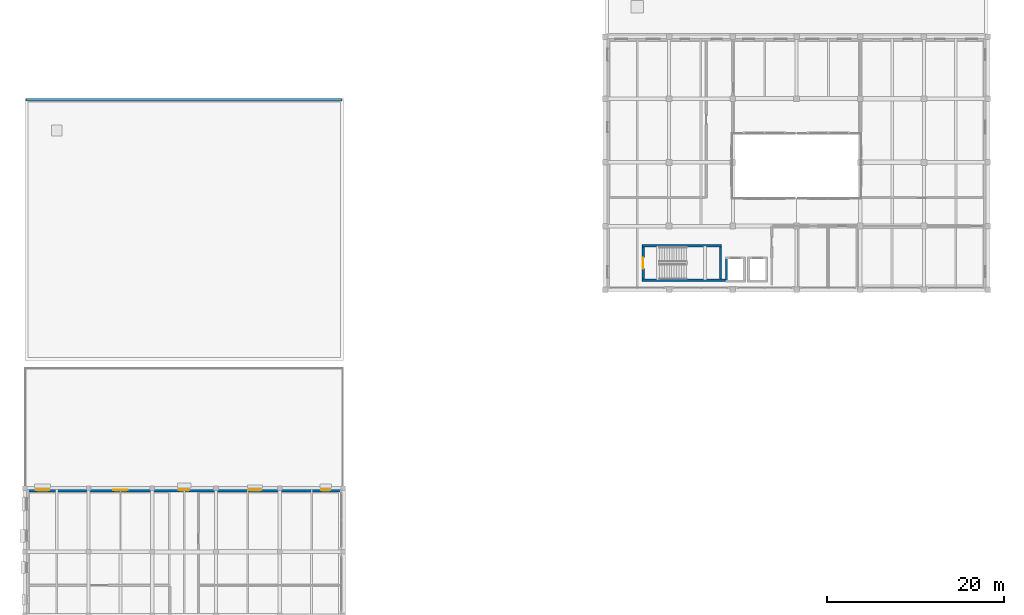
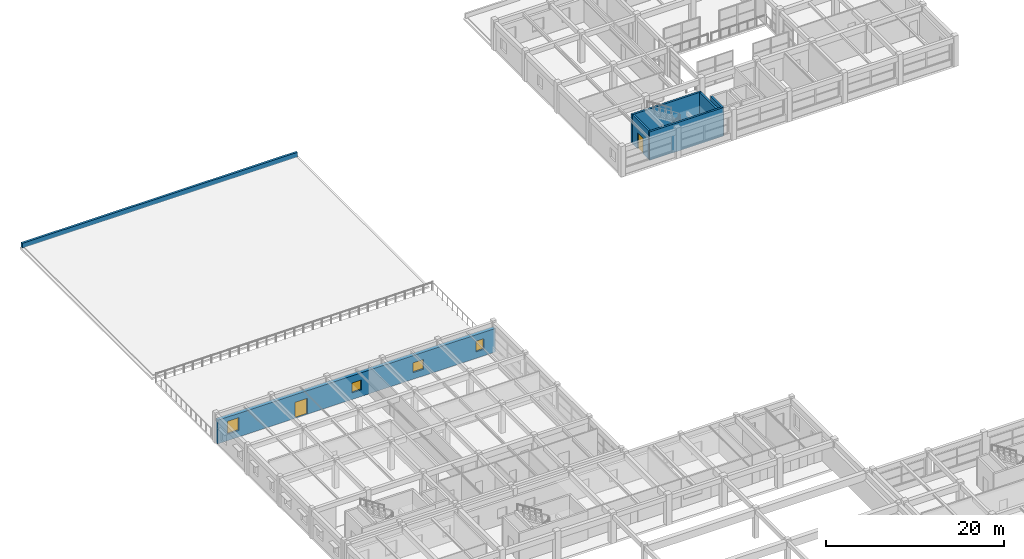
# One storey, part 49 of 67: 7 walls, 4 windows, 2 doors, 6 openings.
"""IFC4 building model written with IfcOpenShell, lengths in metres."""

from ifc_helpers import new_model, si_unit, direction, frame, frame_2d, origin, place, context, subcontext, project, spatial, rectangle, extrude, material, layer, layer_set, type_object, element, fill, save


model = new_model("IFC4")

# Units and contexts
model_context = context("Model", 3, precision=1e-05, world=origin(), true_north=direction((0.0, 1.0)))
body_context = subcontext(model_context, "Body", "Model", "MODEL_VIEW")
ifc_project = project(units=[si_unit("LENGTHUNIT", "METRE"), si_unit("AREAUNIT", "SQUARE_METRE"), si_unit("VOLUMEUNIT", "CUBIC_METRE"), si_unit("PLANEANGLEUNIT", "RADIAN"), si_unit("MASSUNIT", "GRAM", prefix="KILO")], contexts=[model_context])

# Site, building, storey
site_placement = place(None, origin())
site = spatial("IfcSite", under=ifc_project, at=site_placement, CompositionType="ELEMENT")
building_placement = place(site_placement, origin())
building = spatial("IfcBuilding", under=site, at=building_placement, Name="Bramveld Media Centre", CompositionType="ELEMENT")
storey_placement = place(building_placement, frame((0.0, 0.0, 5.39990234375)))
storey = spatial("IfcBuildingStorey", under=building, at=storey_placement, Name="L01", CompositionType="ELEMENT", Elevation=5.39990234375)

# Walls
ifc_material_1 = material(Name="Concrete C40/50 stair & lift core wall", Category="concrete")
ifc_layer_1 = layer(ifc_material_1, 0.25)
ifc_layer_set_1 = layer_set([ifc_layer_1], Name="Concrete C40/50 stair & lift core wall")
wall_type_1 = type_object("IfcWallType", Name="CWALL-SHEAR-250", PredefinedType="SHEAR", material=ifc_layer_set_1)
wall_1_placement = place(storey_placement, frame((69.75, 91.47509765625, 0.0), z_axis=(0.0, 0.0, 1.0), x_axis=(1.0, 0.0, 0.0)))
element("IfcWall", 1, at=wall_1_placement, inside=storey, type_object=wall_type_1, Name="ST-07 L01 stair core shear wall S", PredefinedType="SHEAR", context=body_context, shape_type="SweptSolid", body=[
    extrude(rectangle(XDim=9.570068359375, YDim=0.25, at=frame_2d((4.78515625, 0.0))), origin(), (0.0, 0.0, 1.0), 3.920166015625),
])
wall_2_placement = place(storey_placement, frame((78.75, 95.375, 0.0), z_axis=(0.0, 0.0, 1.0), x_axis=(-1.0, 0.0, 0.0)))
element("IfcWall", 2, at=wall_2_placement, inside=storey, type_object=wall_type_1, Name="ST-07 L01 stair core shear wall N", PredefinedType="SHEAR", context=body_context, shape_type="SweptSolid", body=[
    extrude(rectangle(XDim=9.0, YDim=0.25, at=frame_2d((4.5, 0.0))), origin(), (0.0, 0.0, 1.0), 3.920166015625),
])

# Wall, opening, door
wall_3_placement = place(storey_placement, frame((69.875, 95.25, 0.0), z_axis=(0.0, 0.0, 1.0), x_axis=(0.0, -1.0, 0.0)))
wall_3 = element("IfcWall", 3, at=wall_3_placement, inside=storey, type_object=wall_type_1, Name="ST-07 L01 stair core shear wall W", PredefinedType="SHEAR", context=body_context, shape_type="SweptSolid", body=[
    extrude(rectangle(XDim=3.64990234375, YDim=0.25, at=frame_2d((1.824951171875, 0.0))), origin(), (0.0, 0.0, 1.0), 3.920166015625),
])
opening_1_placement = place(wall_3_placement, frame((1.199951171875, 0.0, 0.0)))
opening_1 = element("IfcOpeningElement", 4, at=opening_1_placement, cuts=wall_3, Name="Opening SD-07-L01", PredefinedType="OPENING", context=body_context, shape_type="SweptSolid", body=[
    extrude(rectangle(XDim=1.25, YDim=2.14990234375, at=frame_2d((0.625, 1.074951171875))), frame((0.0, 0.136962890625, 0.0), z_axis=(0.0, -1.0, 0.0), x_axis=(1.0, 0.0, 0.0)), (0.0, 0.0, 1.0), 0.27392578125),
])
ifc_material_2 = material(Name="Painted galvanized steel acoustic fire door with intumescent smoke seals", Category="steel")
door_type_1 = type_object("IfcDoorType", Name="DR-ST-1250", OperationType="NOTDEFINED", PredefinedType="DOOR", material=ifc_material_2)
door_1_placement = place(opening_1_placement, origin())
door_1 = element("IfcDoor", 5, at=door_1_placement, inside=storey, type_object=door_type_1, Name="ST-07 L01 pressurized stair fire door", OperationType="SINGLE_SWING_RIGHT", OverallHeight=2.14990234375, OverallWidth=1.25, PredefinedType="DOOR", context=body_context, shape_type="SweptSolid", body=[
    extrude(rectangle(XDim=1.25, YDim=2.14990234375, at=frame_2d((0.625, 1.074951171875))), frame((0.0, 0.02490234375, 0.0), z_axis=(0.0, -1.0, 0.0), x_axis=(1.0, 0.0, 0.0)), (0.0, 0.0, 1.0), 0.050048828125),
])
fill(opening_1, door_1)

# Walls
wall_4_placement = place(storey_placement, frame((78.625, 91.60009765625, 0.0), z_axis=(0.0, 0.0, 1.0), x_axis=(0.0, 1.0, 0.0)))
element("IfcWall", 6, at=wall_4_placement, inside=storey, type_object=wall_type_1, Name="ST-07 L01 stair core shear wall E", PredefinedType="SHEAR", context=body_context, shape_type="SweptSolid", body=[
    extrude(rectangle(XDim=3.64990234375, YDim=0.25, at=frame_2d((1.824951171875, 0.0))), origin(), (0.0, 0.0, 1.0), 3.920166015625),
])
wall_5_placement = place(storey_placement, frame((79.300048828125, 94.0, 0.0), z_axis=(0.0, 0.0, 1.0), x_axis=(0.0, -1.0, 0.0)))
element("IfcWall", 7, at=wall_5_placement, inside=storey, type_object=wall_type_1, Name="PL-04 L01 lift shaft wall W", PredefinedType="SHEAR", context=body_context, shape_type="SweptSolid", body=[
    extrude(rectangle(XDim=2.60009765625, YDim=0.25, at=frame_2d((1.300048828125, 0.0))), origin(), (0.0, 0.0, 1.0), 3.920166015625),
])

# Wall, openings, door, windows
ifc_material_3 = material(Name="Flemish red-brown clay facing brick cavity wall with concrete C35/45 inner leaf", Category="masonry")
ifc_layer_2 = layer(ifc_material_3, 0.4599609375)
ifc_layer_set_2 = layer_set([ifc_layer_2], Name="Flemish red-brown clay facing brick cavity wall with concrete C35/45 inner leaf")
wall_type_2 = type_object("IfcWallType", Name="EW-BRK-460", PredefinedType="SOLIDWALL", material=ifc_layer_set_2)
wall_6_placement = place(storey_placement, frame((0.0, 67.77001953125, 0.0), z_axis=(0.0, 0.0, 1.0), x_axis=(1.0, 0.0, 0.0)))
wall_6 = element("IfcWall", 8, at=wall_6_placement, inside=storey, type_object=wall_type_2, Name="V3 L01 N facing brick exterior wall", PredefinedType="SOLIDWALL", context=body_context, shape_type="SweptSolid", body=[
    extrude(rectangle(XDim=36.0, YDim=0.4599609375, at=frame_2d((18.0, 0.0))), origin(), (0.0, 0.0, 1.0), 3.235107421875),
])
opening_2_placement = place(wall_6_placement, frame((10.0, 0.0, 0.0)))
opening_2 = element("IfcOpeningElement", 9, at=opening_2_placement, cuts=wall_6, Name="Opening TD-04", PredefinedType="OPENING", context=body_context, shape_type="SweptSolid", body=[
    extrude(rectangle(XDim=1.60009765625, YDim=2.199951171875, at=frame_2d((0.800048828125, 1.10009765625))), frame((0.0, 0.241943359375, 0.0), z_axis=(0.0, -1.0, 0.0), x_axis=(1.0, 0.0, 0.0)), (0.0, 0.0, 1.0), 0.48388671875),
])
opening_3_placement = place(wall_6_placement, frame((1.25, 0.0, 0.89990234375)))
opening_3 = element("IfcOpeningElement", 10, at=opening_3_placement, cuts=wall_6, Name="Opening W-24", PredefinedType="OPENING", context=body_context, shape_type="SweptSolid", body=[
    extrude(rectangle(XDim=1.5, YDim=1.75, at=frame_2d((0.75, 0.875))), frame((0.0, 0.241943359375, 0.0), z_axis=(0.0, -1.0, 0.0), x_axis=(1.0, 0.0, 0.0)), (0.0, 0.0, 1.0), 0.48388671875),
])
opening_4_placement = place(wall_6_placement, frame((17.39990234375, 0.0, 0.89990234375)))
opening_4 = element("IfcOpeningElement", 11, at=opening_4_placement, cuts=wall_6, Name="Opening W-04", PredefinedType="OPENING", context=body_context, shape_type="SweptSolid", body=[
    extrude(rectangle(XDim=1.199951171875, YDim=1.35009765625, at=frame_2d((0.60009765625, 0.675048828125))), frame((0.0, 0.241943359375, 0.0), z_axis=(0.0, -1.0, 0.0), x_axis=(1.0, 0.0, 0.0)), (0.0, 0.0, 1.0), 0.48388671875),
])
opening_5_placement = place(wall_6_placement, frame((25.300048828125, 0.0, 0.89990234375)))
opening_5 = element("IfcOpeningElement", 12, at=opening_5_placement, cuts=wall_6, Name="Opening W-06", PredefinedType="OPENING", context=body_context, shape_type="SweptSolid", body=[
    extrude(rectangle(XDim=1.39990234375, YDim=1.35009765625, at=frame_2d((0.699951171875, 0.675048828125))), frame((0.0, 0.241943359375, 0.0), z_axis=(0.0, -1.0, 0.0), x_axis=(1.0, 0.0, 0.0)), (0.0, 0.0, 1.0), 0.48388671875),
])
opening_6_placement = place(wall_6_placement, frame((33.47509765625, 0.0, 0.89990234375)))
opening_6 = element("IfcOpeningElement", 13, at=opening_6_placement, cuts=wall_6, Name="Opening W-08", PredefinedType="OPENING", context=body_context, shape_type="SweptSolid", body=[
    extrude(rectangle(XDim=1.050048828125, YDim=1.449951171875, at=frame_2d((0.52490234375, 0.72509765625))), frame((0.0, 0.241943359375, 0.0), z_axis=(0.0, -1.0, 0.0), x_axis=(1.0, 0.0, 0.0)), (0.0, 0.0, 1.0), 0.48388671875),
])
ifc_material_4 = material(Name="Insulated powder-coated bronze aluminium & laminated safety glass door", Category="aluminium")
door_type_2 = type_object("IfcDoorType", Name="DR-TER-1600", OperationType="NOTDEFINED", PredefinedType="DOOR", material=ifc_material_4)
door_2_placement = place(opening_2_placement, origin())
door_2 = element("IfcDoor", 14, at=door_2_placement, inside=storey, type_object=door_type_2, Name="Exterior door TD-04", OperationType="SINGLE_SWING_RIGHT", OverallHeight=2.199951171875, OverallWidth=1.60009765625, PredefinedType="DOOR", context=body_context, shape_type="SweptSolid", body=[
    extrude(rectangle(XDim=1.60009765625, YDim=2.199951171875, at=frame_2d((0.800048828125, 1.10009765625))), frame((0.0, 0.02490234375, 0.0), z_axis=(0.0, -1.0, 0.0), x_axis=(1.0, 0.0, 0.0)), (0.0, 0.0, 1.0), 0.050048828125),
])
fill(opening_2, door_2)
ifc_material_5 = material(Name="Thermally broken anodized bronze aluminium frame with triple acoustic glazing", Category="aluminium")
window_type_1 = type_object("IfcWindowType", Name="WIN-FAC-04", PartitioningType="SINGLE_PANEL", PredefinedType="WINDOW", material=ifc_material_5)
window_1_placement = place(opening_4_placement, origin())
window_1 = element("IfcWindow", 15, at=window_1_placement, inside=storey, type_object=window_type_1, Name="V3 L01 N acoustic facade window", OverallHeight=1.35009765625, OverallWidth=1.199951171875, PartitioningType="SINGLE_PANEL", PredefinedType="WINDOW", context=body_context, shape_type="SweptSolid", body=[
    extrude(rectangle(XDim=1.199951171875, YDim=1.35009765625, at=frame_2d((0.60009765625, 0.675048828125))), frame((0.0, 0.030029296875, 0.0), z_axis=(0.0, -1.0, 0.0), x_axis=(1.0, 0.0, 0.0)), (0.0, 0.0, 1.0), 0.06005859375),
])
fill(opening_4, window_1)
ifc_material_6 = material(Name="Thermally broken anodized bronze aluminium frame with triple acoustic glazing", Category="aluminium")
window_type_2 = type_object("IfcWindowType", Name="WIN-FAC-06", PartitioningType="SINGLE_PANEL", PredefinedType="WINDOW", material=ifc_material_6)
window_2_placement = place(opening_5_placement, origin())
window_2 = element("IfcWindow", 16, at=window_2_placement, inside=storey, type_object=window_type_2, Name="V3 L01 N acoustic facade window", OverallHeight=1.35009765625, OverallWidth=1.39990234375, PartitioningType="SINGLE_PANEL", PredefinedType="WINDOW", context=body_context, shape_type="SweptSolid", body=[
    extrude(rectangle(XDim=1.39990234375, YDim=1.35009765625, at=frame_2d((0.699951171875, 0.675048828125))), frame((0.0, 0.030029296875, 0.0), z_axis=(0.0, -1.0, 0.0), x_axis=(1.0, 0.0, 0.0)), (0.0, 0.0, 1.0), 0.06005859375),
])
fill(opening_5, window_2)
ifc_material_7 = material(Name="Thermally broken anodized bronze aluminium frame with triple acoustic glazing", Category="aluminium")
window_type_3 = type_object("IfcWindowType", Name="WIN-FAC-08", PartitioningType="SINGLE_PANEL", PredefinedType="WINDOW", material=ifc_material_7)
window_3_placement = place(opening_6_placement, origin())
window_3 = element("IfcWindow", 17, at=window_3_placement, inside=storey, type_object=window_type_3, Name="V3 L01 N acoustic facade window", OverallHeight=1.449951171875, OverallWidth=1.050048828125, PartitioningType="SINGLE_PANEL", PredefinedType="WINDOW", context=body_context, shape_type="SweptSolid", body=[
    extrude(rectangle(XDim=1.050048828125, YDim=1.449951171875, at=frame_2d((0.52490234375, 0.72509765625))), frame((0.0, 0.030029296875, 0.0), z_axis=(0.0, -1.0, 0.0), x_axis=(1.0, 0.0, 0.0)), (0.0, 0.0, 1.0), 0.06005859375),
])
fill(opening_6, window_3)
ifc_material_8 = material(Name="Thermally broken anodized bronze aluminium frame with triple acoustic glazing", Category="aluminium")
window_type_4 = type_object("IfcWindowType", Name="WIN-FAC-24", PartitioningType="SINGLE_PANEL", PredefinedType="WINDOW", material=ifc_material_8)
window_4_placement = place(opening_3_placement, origin())
window_4 = element("IfcWindow", 18, at=window_4_placement, inside=storey, type_object=window_type_4, Name="V3 L01 N acoustic facade window", OverallHeight=1.75, OverallWidth=1.5, PartitioningType="SINGLE_PANEL", PredefinedType="WINDOW", context=body_context, shape_type="SweptSolid", body=[
    extrude(rectangle(XDim=1.5, YDim=1.75, at=frame_2d((0.75, 0.875))), frame((0.0, 0.030029296875, 0.0), z_axis=(0.0, -1.0, 0.0), x_axis=(1.0, 0.0, 0.0)), (0.0, 0.0, 1.0), 0.06005859375),
])
fill(opening_3, window_4)

# Wall
ifc_material_9 = material(Name="Flemish brick-faced parapet upstand with Concrete C35/45 core", Category="masonry")
ifc_layer_3 = layer(ifc_material_9, 0.280029296875)
ifc_layer_set_3 = layer_set([ifc_layer_3], Name="Flemish brick-faced parapet upstand with Concrete C35/45 core")
wall_type_3 = type_object("IfcWallType", Name="PARAPET-280", PredefinedType="PARAPET", material=ifc_layer_set_3)
wall_7_placement = place(storey_placement, frame((0.14990234375, 111.860107421875, 0.0), z_axis=(0.0, 0.0, 1.0), x_axis=(1.0, 0.0, 0.0)))
element("IfcWall", 19, at=wall_7_placement, inside=storey, type_object=wall_type_3, Name="V3 L01 roof parapet upstand", PredefinedType="PARAPET", context=body_context, shape_type="SweptSolid", body=[
    extrude(rectangle(XDim=35.7001953125, YDim=0.280029296875, at=frame_2d((17.85009765625, 0.0))), origin(), (0.0, 0.0, 1.0), 0.650146484375),
])

save(model, "model.ifc")
